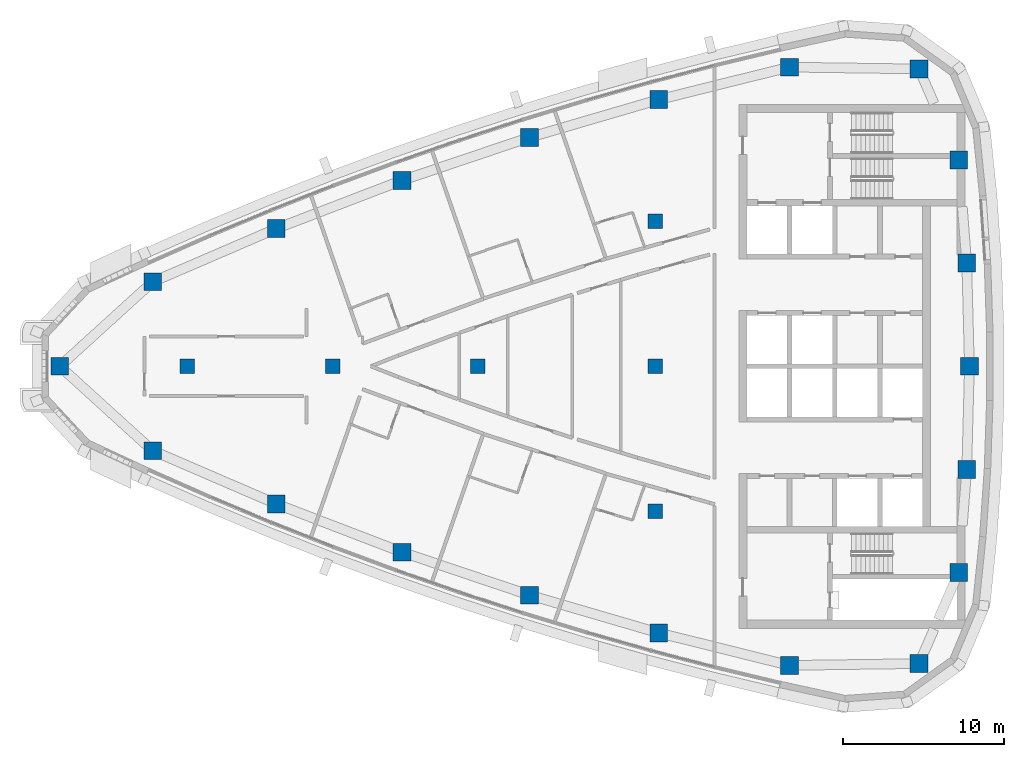
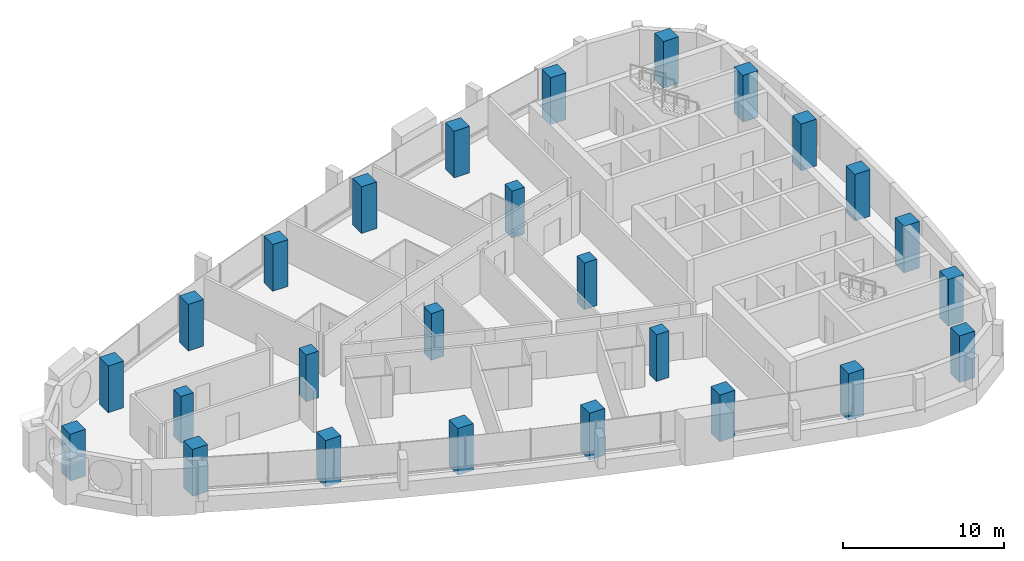
# One storey, part 1 of 14: 26 columns.
"""IFC4 building model written with IfcOpenShell, lengths in metres."""

from ifc_helpers import new_model, si_unit, direction, frame, origin, origin_2d, place, context, subcontext, project, spatial, rectangle, extrude, material, material_profile, profile_set, type_object, element, save


model = new_model("IFC4")

# Units and contexts
model_context = context("Model", 3, precision=1e-05, world=origin(), true_north=direction((0.0, 1.0)))
body_context = subcontext(model_context, "Body", "Model", "MODEL_VIEW")
ifc_project = project(units=[si_unit("LENGTHUNIT", "METRE"), si_unit("AREAUNIT", "SQUARE_METRE"), si_unit("VOLUMEUNIT", "CUBIC_METRE"), si_unit("PLANEANGLEUNIT", "RADIAN"), si_unit("MASSUNIT", "GRAM", prefix="KILO")], contexts=[model_context])

# Site, building, storey
site_placement = place(None, origin())
site = spatial("IfcSite", under=ifc_project, at=site_placement, CompositionType="ELEMENT")
building_placement = place(site_placement, origin())
building = spatial("IfcBuilding", under=site, at=building_placement, Name="Ostrand Prow Hotel Tower", CompositionType="ELEMENT")
storey_placement = place(building_placement, frame((0.0, 0.0, 299.85009765625)))
storey = spatial("IfcBuildingStorey", under=building, at=storey_placement, Name="L76", CompositionType="ELEMENT", Elevation=299.85009765625)

# Columns
ifc_material_1 = material(Name="Concrete C50/60", Category="concrete")
ifc_material_profile_1 = material_profile(ifc_material_1, rectangle(XDim=0.89990234375, YDim=0.89990234375, at=origin_2d()), Name="RC 900x900")
ifc_profile_set_1 = profile_set([ifc_material_profile_1], Name="Concrete C50/60")
column_type_1 = type_object("IfcColumnType", Name="Interior column 900x900 C50/60", PredefinedType="COLUMN", material=ifc_profile_set_1)
for number, where, z_axis, x_axis, name in (
    (1, (16.0, 0.0, 0.0), (0.0, 0.0, 1.0), (1.0, 0.0, 0.0), "Interior column 16C0"),
    (2, (25.0, 0.0, 0.0), (0.0, 0.0, 1.0), (1.0, 0.0, 0.0), "Interior column 25C0"),
    (3, (34.0, 0.0, 0.0), (0.0, 0.0, 1.0), (1.0, 0.0, 0.0), "Interior column 34C0"),
    (4, (45.0, -9.0, 0.0), (0.0, 0.0, 1.0), (1.0, 0.0, 0.0), "Interior column 45S9"),
    (5, (45.0, 0.0, 0.0), (0.0, 0.0, 1.0), (1.0, 0.0, 0.0), "Interior column 45C0"),
    (6, (45.0, 9.0, 0.0), (0.0, 0.0, 1.0), (1.0, 0.0, 0.0), "Interior column 45N9"),
):
    element("IfcColumn", number, at=place(storey_placement, frame(where, z_axis=z_axis, x_axis=x_axis)), inside=storey, type_object=column_type_1, Name=name, PredefinedType="COLUMN", context=body_context, shape_type="SweptSolid", body=[
        extrude(rectangle(XDim=0.89990234375, YDim=0.89990234375, at=origin_2d()), origin(), (0.0, 0.0, 1.0), 3.5498046875),
    ])
ifc_material_2 = material(Name="Concrete C50/60", Category="concrete")
ifc_material_profile_2 = material_profile(ifc_material_2, rectangle(XDim=1.10009765625, YDim=1.10009765625, at=origin_2d()), Name="RC 1100x1100")
ifc_profile_set_2 = profile_set([ifc_material_profile_2], Name="Concrete C50/60")
column_type_2 = type_object("IfcColumnType", Name="Stone-faced mega column 1100x1100 C50/60", PredefinedType="COLUMN", material=ifc_profile_set_2)
for number, where, z_axis, x_axis, name in (
    (7, (8.082763671875, 0.0, 0.0), (0.0, 0.0, 1.0), (1.0, 0.0, 0.0), "Mega column P"),
    (8, (13.846435546875, -5.23681640625, 0.0), (0.0, 0.0, 1.0), (1.0, 0.0, 0.0), "Mega column S1"),
    (9, (21.51416015625, -8.5400390625, 0.0), (0.0, 0.0, 1.0), (1.0, 0.0, 0.0), "Mega column S2"),
    (10, (29.31005859375, -11.528076171875, 0.0), (0.0, 0.0, 1.0), (1.0, 0.0, 0.0), "Mega column S3"),
    (11, (37.22119140625, -14.19580078125, 0.0), (0.0, 0.0, 1.0), (1.0, 0.0, 0.0), "Mega column S4"),
    (12, (45.234619140625, -16.53857421875, 0.0), (0.0, 0.0, 1.0), (1.0, 0.0, 0.0), "Mega column S5"),
    (13, (53.3369140625, -18.552978515625, 0.0), (0.0, 0.0, 1.0), (1.0, 0.0, 0.0), "Mega column S6"),
    (14, (61.374267578125, -18.439697265625, 0.0), (0.0, 0.0, 1.0), (1.0, 0.0, 0.0), "Mega column SE"),
    (15, (63.831787109375, -12.7890625, 0.0), (0.0, 0.0, 1.0), (1.0, 0.0, 0.0), "Mega column B1"),
    (16, (64.332763671875, -6.4033203125, 0.0), (0.0, 0.0, 1.0), (1.0, 0.0, 0.0), "Mega column B2"),
    (17, (64.5, 0.0, 0.0), (0.0, 0.0, 1.0), (1.0, 0.0, 0.0), "Mega column B3"),
    (18, (64.332763671875, 6.4033203125, 0.0), (0.0, 0.0, 1.0), (1.0, 0.0, 0.0), "Mega column B4"),
    (19, (63.831787109375, 12.7890625, 0.0), (0.0, 0.0, 1.0), (1.0, 0.0, 0.0), "Mega column B5"),
    (20, (61.374267578125, 18.439697265625, 0.0), (0.0, 0.0, 1.0), (1.0, 0.0, 0.0), "Mega column NE"),
    (21, (53.3369140625, 18.552978515625, 0.0), (0.0, 0.0, 1.0), (1.0, 0.0, 0.0), "Mega column N1"),
    (22, (45.234619140625, 16.53857421875, 0.0), (0.0, 0.0, 1.0), (1.0, 0.0, 0.0), "Mega column N2"),
    (23, (37.22119140625, 14.19580078125, 0.0), (0.0, 0.0, 1.0), (1.0, 0.0, 0.0), "Mega column N3"),
    (24, (29.31005859375, 11.528076171875, 0.0), (0.0, 0.0, 1.0), (1.0, 0.0, 0.0), "Mega column N4"),
    (25, (21.51416015625, 8.5400390625, 0.0), (0.0, 0.0, 1.0), (1.0, 0.0, 0.0), "Mega column N5"),
    (26, (13.846435546875, 5.23681640625, 0.0), (0.0, 0.0, 1.0), (1.0, 0.0, 0.0), "Mega column N6"),
):
    element("IfcColumn", number, at=place(storey_placement, frame(where, z_axis=z_axis, x_axis=x_axis)), inside=storey, type_object=column_type_2, Name=name, PredefinedType="COLUMN", context=body_context, shape_type="SweptSolid", body=[
        extrude(rectangle(XDim=1.10009765625, YDim=1.10009765625, at=origin_2d()), origin(), (0.0, 0.0, 1.0), 3.5498046875),
    ])

save(model, "model.ifc")
